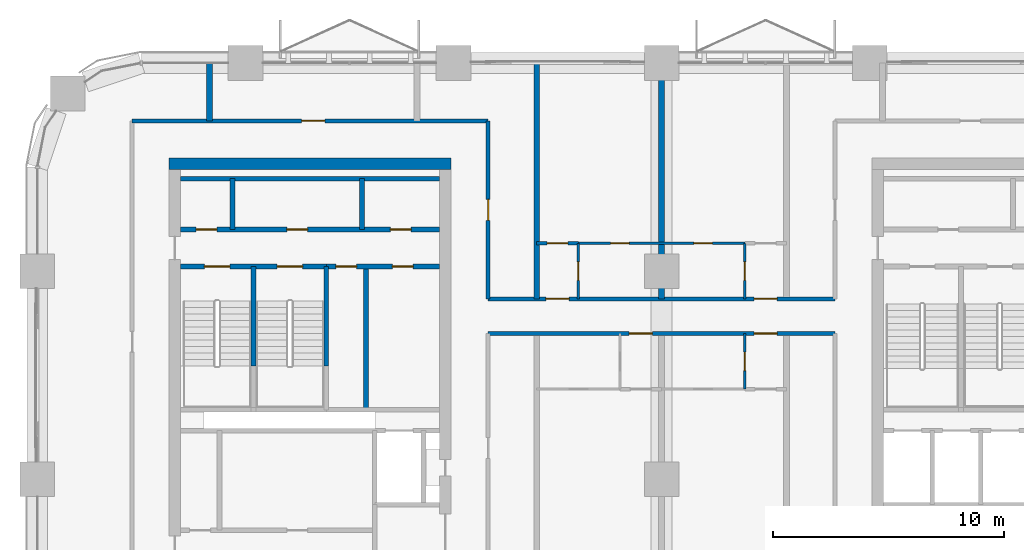
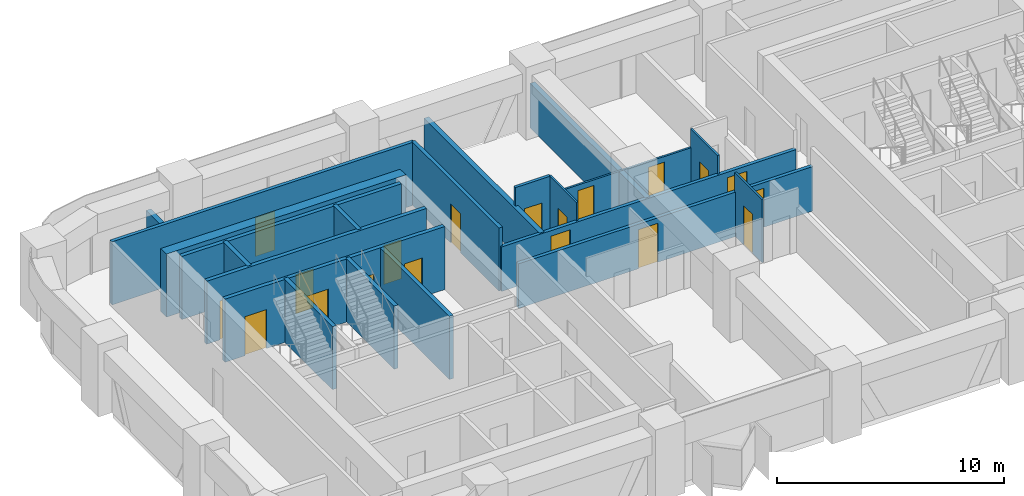
# One storey, part 9 of 14: 22 walls, 19 doors, 19 openings.
"""IFC4 building model written with IfcOpenShell, lengths in metres."""

from ifc_helpers import new_model, si_unit, direction, frame, frame_2d, origin, place, context, subcontext, project, spatial, rectangle, extrude, material, layer, layer_set, type_object, element, fill, save


model = new_model("IFC4")

# Units and contexts
model_context = context("Model", 3, precision=1e-05, world=origin(), true_north=direction((0.0, 1.0)))
body_context = subcontext(model_context, "Body", "Model", "MODEL_VIEW")
ifc_project = project(units=[si_unit("LENGTHUNIT", "METRE"), si_unit("AREAUNIT", "SQUARE_METRE"), si_unit("VOLUMEUNIT", "CUBIC_METRE"), si_unit("PLANEANGLEUNIT", "RADIAN"), si_unit("MASSUNIT", "GRAM", prefix="KILO")], contexts=[model_context])

# Site, building, storey
site_placement = place(None, origin())
site = spatial("IfcSite", under=ifc_project, at=site_placement, CompositionType="ELEMENT")
building_placement = place(site_placement, origin())
building = spatial("IfcBuilding", under=site, at=building_placement, Name="Tessera Arch", CompositionType="ELEMENT")
storey_placement = place(building_placement, frame((0.0, 0.0, 193.39990234375)))
storey = spatial("IfcBuildingStorey", under=building, at=storey_placement, Name="L46", CompositionType="ELEMENT", Elevation=193.39990234375)

# Walls
ifc_material_1 = material(Name="Gypsum board on steel stud", Category="steel")
ifc_layer_1 = layer(ifc_material_1, 0.125)
ifc_layer_set_1 = layer_set([ifc_layer_1], Name="Core partition 125 EI 60")
wall_type_1 = type_object("IfcWallType", Name="Core partition 125 EI 60", PredefinedType="PARTITIONING", material=ifc_layer_set_1)
for number, where, z_axis, x_axis, name in (
    (1, (8.43994140625, 46.800048828125, 0.0), (0.0, 0.0, 1.0), (0.0, 1.0, 0.0), "L46 C2 partition wall 2"),
    (2, (14.0400390625, 46.800048828125, 0.0), (0.0, 0.0, 1.0), (0.0, 1.0, 0.0), "L46 C2 partition wall 8"),
):
    element("IfcWall", number, at=place(storey_placement, frame(where, z_axis=z_axis, x_axis=x_axis)), inside=storey, type_object=wall_type_1, Name=name, PredefinedType="PARTITIONING", context=body_context, shape_type="SweptSolid", body=[
        extrude(rectangle(XDim=2.199951171875, YDim=0.199951171875, at=frame_2d((1.10009765625, 0.0))), origin(), (0.0, 0.0, 1.0), 3.400146484375),
    ])
wall_1_placement = place(storey_placement, frame((14.215087890625, 39.0, 0.0), z_axis=(0.0, 0.0, 1.0), x_axis=(0.0, 1.0, 0.0)))
element("IfcWall", 3, at=wall_1_placement, inside=storey, type_object=wall_type_1, Name="L46 C2 partition wall 9", PredefinedType="PARTITIONING", context=body_context, shape_type="SweptSolid", body=[
    extrude(rectangle(XDim=6.199951171875, YDim=0.199951171875, at=frame_2d((3.10009765625, 0.0))), origin(), (0.0, 0.0, 1.0), 3.400146484375),
])

# Wall, openings, doors
wall_2_placement = place(storey_placement, frame((12.5, 45.199951171875, 0.0), z_axis=(0.0, 0.0, 1.0), x_axis=(1.0, 0.0, 0.0)))
wall_2 = element("IfcWall", 4, at=wall_2_placement, inside=storey, type_object=wall_type_1, Name="L46 C2 partition wall 24", PredefinedType="PARTITIONING", context=body_context, shape_type="SweptSolid", body=[
    extrude(rectangle(XDim=4.89990234375, YDim=0.199951171875, at=frame_2d((2.449951171875, 0.0))), origin(), (0.0, 0.0, 1.0), 3.400146484375),
])
opening_1_placement = place(wall_2_placement, frame((0.407470703125, 0.0, 0.0)))
opening_1 = element("IfcOpeningElement", 5, at=opening_1_placement, cuts=wall_2, Name="Opening L46-C32", PredefinedType="OPENING", context=body_context, shape_type="SweptSolid", body=[
    extrude(rectangle(XDim=0.89990234375, YDim=2.10009765625, at=frame_2d((0.449951171875, 1.050048828125))), frame((0.0, 0.10986328125, 0.0), z_axis=(0.0, -1.0, 0.0), x_axis=(1.0, 0.0, 0.0)), (0.0, 0.0, 1.0), 0.219970703125),
])
opening_2_placement = place(wall_2_placement, frame((2.857421875, 0.0, 0.0)))
opening_2 = element("IfcOpeningElement", 6, at=opening_2_placement, cuts=wall_2, Name="Opening L46-C33", PredefinedType="OPENING", context=body_context, shape_type="SweptSolid", body=[
    extrude(rectangle(XDim=0.89990234375, YDim=2.10009765625, at=frame_2d((0.449951171875, 1.050048828125))), frame((0.0, 0.10986328125, 0.0), z_axis=(0.0, -1.0, 0.0), x_axis=(1.0, 0.0, 0.0)), (0.0, 0.0, 1.0), 0.219970703125),
])
ifc_material_2 = material(Name="Steel door leaf", Category="steel")
door_type_1 = type_object("IfcDoorType", Name="Store door FD30S 900 x 2100", OperationType="SINGLE_SWING_LEFT", PredefinedType="DOOR", material=ifc_material_2)
door_1_placement = place(opening_1_placement, origin())
door_1 = element("IfcDoor", 7, at=door_1_placement, inside=storey, type_object=door_type_1, Name="L46 C2 door 13 C32 type D09", OperationType="SINGLE_SWING_LEFT", OverallHeight=2.10009765625, OverallWidth=0.89990234375, PredefinedType="DOOR", context=body_context, shape_type="SweptSolid", body=[
    extrude(rectangle(XDim=0.89990234375, YDim=2.10009765625, at=frame_2d((0.449951171875, 1.050048828125))), frame((0.0, 0.02490234375, 0.0), z_axis=(0.0, -1.0, 0.0), x_axis=(1.0, 0.0, 0.0)), (0.0, 0.0, 1.0), 0.050048828125),
])
fill(opening_1, door_1)
door_2_placement = place(opening_2_placement, origin())
door_2 = element("IfcDoor", 8, at=door_2_placement, inside=storey, type_object=door_type_1, Name="L46 C2 door 14 C33 type D09", OperationType="SINGLE_SWING_RIGHT", OverallHeight=2.10009765625, OverallWidth=0.89990234375, PredefinedType="DOOR", context=body_context, shape_type="SweptSolid", body=[
    extrude(rectangle(XDim=0.89990234375, YDim=2.10009765625, at=frame_2d((0.449951171875, 1.050048828125))), frame((0.0, 0.02490234375, 0.0), z_axis=(0.0, -1.0, 0.0), x_axis=(1.0, 0.0, 0.0)), (0.0, 0.0, 1.0), 0.050048828125),
])
fill(opening_2, door_2)

wall_3_placement = place(storey_placement, frame((6.199951171875, 46.800048828125, 0.0), z_axis=(0.0, 0.0, 1.0), x_axis=(1.0, 0.0, 0.0)))
wall_3 = element("IfcWall", 9, at=wall_3_placement, inside=storey, type_object=wall_type_1, Name="L46 C2 partition wall 26", PredefinedType="PARTITIONING", context=body_context, shape_type="SweptSolid", body=[
    extrude(rectangle(XDim=11.199951171875, YDim=0.199951171875, at=frame_2d((5.60009765625, 0.0))), origin(), (0.0, 0.0, 1.0), 3.400146484375),
])
opening_3_placement = place(wall_3_placement, frame((0.669921875, 0.0, 0.0)))
opening_3 = element("IfcOpeningElement", 10, at=opening_3_placement, cuts=wall_3, Name="Opening L46-C29", PredefinedType="OPENING", context=body_context, shape_type="SweptSolid", body=[
    extrude(rectangle(XDim=0.89990234375, YDim=2.10009765625, at=frame_2d((0.449951171875, 1.050048828125))), frame((0.0, 0.10986328125, 0.0), z_axis=(0.0, -1.0, 0.0), x_axis=(1.0, 0.0, 0.0)), (0.0, 0.0, 1.0), 0.219970703125),
])
opening_4_placement = place(wall_3_placement, frame((4.590087890625, 0.0, 0.0)))
opening_4 = element("IfcOpeningElement", 11, at=opening_4_placement, cuts=wall_3, Name="Opening L46-C30", PredefinedType="OPENING", context=body_context, shape_type="SweptSolid", body=[
    extrude(rectangle(XDim=0.89990234375, YDim=2.10009765625, at=frame_2d((0.449951171875, 1.050048828125))), frame((0.0, 0.10986328125, 0.0), z_axis=(0.0, -1.0, 0.0), x_axis=(1.0, 0.0, 0.0)), (0.0, 0.0, 1.0), 0.219970703125),
])
opening_5_placement = place(wall_3_placement, frame((9.070068359375, 0.0, 0.0)))
opening_5 = element("IfcOpeningElement", 12, at=opening_5_placement, cuts=wall_3, Name="Opening L46-C31", PredefinedType="OPENING", context=body_context, shape_type="SweptSolid", body=[
    extrude(rectangle(XDim=0.89990234375, YDim=2.10009765625, at=frame_2d((0.449951171875, 1.050048828125))), frame((0.0, 0.10986328125, 0.0), z_axis=(0.0, -1.0, 0.0), x_axis=(1.0, 0.0, 0.0)), (0.0, 0.0, 1.0), 0.219970703125),
])
door_3_placement = place(opening_3_placement, origin())
door_3 = element("IfcDoor", 13, at=door_3_placement, inside=storey, type_object=door_type_1, Name="L46 C2 door 10 C29 type D09", OperationType="SINGLE_SWING_LEFT", OverallHeight=2.10009765625, OverallWidth=0.89990234375, PredefinedType="DOOR", context=body_context, shape_type="SweptSolid", body=[
    extrude(rectangle(XDim=0.89990234375, YDim=2.10009765625, at=frame_2d((0.449951171875, 1.050048828125))), frame((0.0, 0.02490234375, 0.0), z_axis=(0.0, -1.0, 0.0), x_axis=(1.0, 0.0, 0.0)), (0.0, 0.0, 1.0), 0.050048828125),
])
fill(opening_3, door_3)
door_4_placement = place(opening_4_placement, origin())
door_4 = element("IfcDoor", 14, at=door_4_placement, inside=storey, type_object=door_type_1, Name="L46 C2 door 11 C30 type D09", OperationType="SINGLE_SWING_LEFT", OverallHeight=2.10009765625, OverallWidth=0.89990234375, PredefinedType="DOOR", context=body_context, shape_type="SweptSolid", body=[
    extrude(rectangle(XDim=0.89990234375, YDim=2.10009765625, at=frame_2d((0.449951171875, 1.050048828125))), frame((0.0, 0.02490234375, 0.0), z_axis=(0.0, -1.0, 0.0), x_axis=(1.0, 0.0, 0.0)), (0.0, 0.0, 1.0), 0.050048828125),
])
fill(opening_4, door_4)
door_5_placement = place(opening_5_placement, origin())
door_5 = element("IfcDoor", 15, at=door_5_placement, inside=storey, type_object=door_type_1, Name="L46 C2 door 12 C31 type D09", OperationType="SINGLE_SWING_RIGHT", OverallHeight=2.10009765625, OverallWidth=0.89990234375, PredefinedType="DOOR", context=body_context, shape_type="SweptSolid", body=[
    extrude(rectangle(XDim=0.89990234375, YDim=2.10009765625, at=frame_2d((0.449951171875, 1.050048828125))), frame((0.0, 0.02490234375, 0.0), z_axis=(0.0, -1.0, 0.0), x_axis=(1.0, 0.0, 0.0)), (0.0, 0.0, 1.0), 0.050048828125),
])
fill(opening_5, door_5)

# Walls
wall_4_placement = place(storey_placement, frame((6.199951171875, 49.0, 0.0), z_axis=(0.0, 0.0, 1.0), x_axis=(1.0, 0.0, 0.0)))
element("IfcWall", 16, at=wall_4_placement, inside=storey, type_object=wall_type_1, Name="L46 C2 partition wall 27", PredefinedType="PARTITIONING", context=body_context, shape_type="SweptSolid", body=[
    extrude(rectangle(XDim=11.199951171875, YDim=0.199951171875, at=frame_2d((5.60009765625, 0.0))), origin(), (0.0, 0.0, 1.0), 3.400146484375),
])
ifc_material_3 = material(Name="Concrete C60/75", Category="concrete")
ifc_layer_2 = layer(ifc_material_3, 0.5)
ifc_layer_set_2 = layer_set([ifc_layer_2], Name="Core shell wall 500 C60-75")
wall_type_2 = type_object("IfcWallType", Name="Core shell wall 500 C60-75", PredefinedType="SHEAR", material=ifc_layer_set_2)
wall_5_placement = place(storey_placement, frame((5.699951171875, 49.64990234375, 0.0), z_axis=(0.0, 0.0, 1.0), x_axis=(1.0, 0.0, 0.0)))
element("IfcWall", 17, at=wall_5_placement, inside=storey, type_object=wall_type_2, Name="L46 C2 core wall N", PredefinedType="SHEAR", context=body_context, shape_type="SweptSolid", body=[
    extrude(rectangle(XDim=12.199951171875, YDim=0.5, at=frame_2d((6.10009765625, 0.0))), origin(), (0.0, 0.0, 1.0), 3.400146484375),
])

# Wall, openings, doors
ifc_material_4 = material(Name="Gypsum board on deep steel stud with mineral wool", Category="steel")
ifc_layer_3 = layer(ifc_material_4, 0.175048828125)
ifc_layer_set_3 = layer_set([ifc_layer_3], Name="Corridor wall 175 EI 60")
wall_type_3 = type_object("IfcWallType", Name="Corridor wall 175 EI 60", PredefinedType="PARTITIONING", material=ifc_layer_set_3)
wall_6_placement = place(storey_placement, frame((19.5, 42.300048828125, 0.0), z_axis=(0.0, 0.0, 1.0), x_axis=(1.0, 0.0, 0.0)))
wall_6 = element("IfcWall", 18, at=wall_6_placement, inside=storey, type_object=wall_type_3, Name="L46 partition 5", PredefinedType="PARTITIONING", context=body_context, shape_type="SweptSolid", body=[
    extrude(rectangle(XDim=15.0, YDim=0.175048828125, at=frame_2d((7.5, 0.0))), origin(), (0.0, 0.0, 1.0), 2.400146484375),
])
opening_6_placement = place(wall_6_placement, frame((11.5, 0.0, 0.0)))
opening_6 = element("IfcOpeningElement", 19, at=opening_6_placement, cuts=wall_6, Name="Opening L46-D003", PredefinedType="OPENING", context=body_context, shape_type="SweptSolid", body=[
    extrude(rectangle(XDim=1.0, YDim=2.10009765625, at=frame_2d((0.5, 1.050048828125))), frame((0.0, 0.097412109375, 0.0), z_axis=(0.0, -1.0, 0.0), x_axis=(1.0, 0.0, 0.0)), (0.0, 0.0, 1.0), 0.195068359375),
])
opening_7_placement = place(wall_6_placement, frame((6.10009765625, 0.0, 0.0)))
opening_7 = element("IfcOpeningElement", 20, at=opening_7_placement, cuts=wall_6, Name="Opening L46-D007", PredefinedType="OPENING", context=body_context, shape_type="SweptSolid", body=[
    extrude(rectangle(XDim=1.0, YDim=2.10009765625, at=frame_2d((0.5, 1.050048828125))), frame((0.0, 0.097412109375, 0.0), z_axis=(0.0, -1.0, 0.0), x_axis=(1.0, 0.0, 0.0)), (0.0, 0.0, 1.0), 0.195068359375),
])
ifc_material_5 = material(Name="Fire-rated door leaf")
door_type_2 = type_object("IfcDoorType", Name="Entrance door FD30S 1000 x 2100", OperationType="SINGLE_SWING_LEFT", PredefinedType="DOOR", material=ifc_material_5)
door_6_placement = place(opening_6_placement, origin())
door_6 = element("IfcDoor", 21, at=door_6_placement, inside=storey, type_object=door_type_2, Name="L46 door D003 type D03", OperationType="SINGLE_SWING_RIGHT", OverallHeight=2.10009765625, OverallWidth=1.0, PredefinedType="DOOR", context=body_context, shape_type="SweptSolid", body=[
    extrude(rectangle(XDim=1.0, YDim=2.10009765625, at=frame_2d((0.5, 1.050048828125))), frame((0.0, 0.02490234375, 0.0), z_axis=(0.0, -1.0, 0.0), x_axis=(1.0, 0.0, 0.0)), (0.0, 0.0, 1.0), 0.050048828125),
])
fill(opening_6, door_6)
door_7_placement = place(opening_7_placement, origin())
door_7 = element("IfcDoor", 22, at=door_7_placement, inside=storey, type_object=door_type_2, Name="L46 door D007 type D03", OperationType="SINGLE_SWING_LEFT", OverallHeight=2.10009765625, OverallWidth=1.0, PredefinedType="DOOR", context=body_context, shape_type="SweptSolid", body=[
    extrude(rectangle(XDim=1.0, YDim=2.10009765625, at=frame_2d((0.5, 1.050048828125))), frame((0.0, 0.02490234375, 0.0), z_axis=(0.0, -1.0, 0.0), x_axis=(1.0, 0.0, 0.0)), (0.0, 0.0, 1.0), 0.050048828125),
])
fill(opening_7, door_7)

wall_7_placement = place(storey_placement, frame((19.5, 43.800048828125, 0.0), z_axis=(0.0, 0.0, 1.0), x_axis=(1.0, 0.0, 0.0)))
wall_7 = element("IfcWall", 23, at=wall_7_placement, inside=storey, type_object=wall_type_3, Name="L46 partition 6", PredefinedType="PARTITIONING", context=body_context, shape_type="SweptSolid", body=[
    extrude(rectangle(XDim=15.0, YDim=0.175048828125, at=frame_2d((7.5, 0.0))), origin(), (0.0, 0.0, 1.0), 2.400146484375),
])
opening_8_placement = place(wall_7_placement, frame((2.5, 0.0, 0.0)))
opening_8 = element("IfcOpeningElement", 24, at=opening_8_placement, cuts=wall_7, Name="Opening L46-D013", PredefinedType="OPENING", context=body_context, shape_type="SweptSolid", body=[
    extrude(rectangle(XDim=1.0, YDim=2.10009765625, at=frame_2d((0.5, 1.050048828125))), frame((0.0, 0.097412109375, 0.0), z_axis=(0.0, -1.0, 0.0), x_axis=(1.0, 0.0, 0.0)), (0.0, 0.0, 1.0), 0.195068359375),
])
opening_9_placement = place(wall_7_placement, frame((11.5, 0.0, 0.0)))
opening_9 = element("IfcOpeningElement", 25, at=opening_9_placement, cuts=wall_7, Name="Opening L46-D017", PredefinedType="OPENING", context=body_context, shape_type="SweptSolid", body=[
    extrude(rectangle(XDim=1.0, YDim=2.10009765625, at=frame_2d((0.5, 1.050048828125))), frame((0.0, 0.097412109375, 0.0), z_axis=(0.0, -1.0, 0.0), x_axis=(1.0, 0.0, 0.0)), (0.0, 0.0, 1.0), 0.195068359375),
])
door_8_placement = place(opening_8_placement, origin())
door_8 = element("IfcDoor", 26, at=door_8_placement, inside=storey, type_object=door_type_2, Name="L46 door D013 type D03", OperationType="SINGLE_SWING_LEFT", OverallHeight=2.10009765625, OverallWidth=1.0, PredefinedType="DOOR", context=body_context, shape_type="SweptSolid", body=[
    extrude(rectangle(XDim=1.0, YDim=2.10009765625, at=frame_2d((0.5, 1.050048828125))), frame((0.0, 0.02490234375, 0.0), z_axis=(0.0, -1.0, 0.0), x_axis=(1.0, 0.0, 0.0)), (0.0, 0.0, 1.0), 0.050048828125),
])
fill(opening_8, door_8)
door_9_placement = place(opening_9_placement, origin())
door_9 = element("IfcDoor", 27, at=door_9_placement, inside=storey, type_object=door_type_2, Name="L46 door D017 type D03", OperationType="SINGLE_SWING_RIGHT", OverallHeight=2.10009765625, OverallWidth=1.0, PredefinedType="DOOR", context=body_context, shape_type="SweptSolid", body=[
    extrude(rectangle(XDim=1.0, YDim=2.10009765625, at=frame_2d((0.5, 1.050048828125))), frame((0.0, 0.02490234375, 0.0), z_axis=(0.0, -1.0, 0.0), x_axis=(1.0, 0.0, 0.0)), (0.0, 0.0, 1.0), 0.050048828125),
])
fill(opening_9, door_9)

# Wall, opening, door
wall_8_placement = place(storey_placement, frame((4.10009765625, 51.5, 0.0), z_axis=(0.0, 0.0, 1.0), x_axis=(1.0, 0.0, 0.0)))
wall_8 = element("IfcWall", 28, at=wall_8_placement, inside=storey, type_object=wall_type_3, Name="L46 partition 7", PredefinedType="PARTITIONING", context=body_context, shape_type="SweptSolid", body=[
    extrude(rectangle(XDim=15.39990234375, YDim=0.175048828125, at=frame_2d((7.699951171875, 0.0))), origin(), (0.0, 0.0, 1.0), 3.400146484375),
])
opening_10_placement = place(wall_8_placement, frame((7.33349609375, 0.0, 0.0)))
opening_10 = element("IfcOpeningElement", 29, at=opening_10_placement, cuts=wall_8, Name="Opening L46-D024", PredefinedType="OPENING", context=body_context, shape_type="SweptSolid", body=[
    extrude(rectangle(XDim=1.0, YDim=2.10009765625, at=frame_2d((0.5, 1.050048828125))), frame((0.0, 0.097412109375, 0.0), z_axis=(0.0, -1.0, 0.0), x_axis=(1.0, 0.0, 0.0)), (0.0, 0.0, 1.0), 0.195068359375),
])
door_10_placement = place(opening_10_placement, origin())
door_10 = element("IfcDoor", 30, at=door_10_placement, inside=storey, type_object=door_type_2, Name="L46 door D024 type D03", OperationType="SINGLE_SWING_RIGHT", OverallHeight=2.10009765625, OverallWidth=1.0, PredefinedType="DOOR", context=body_context, shape_type="SweptSolid", body=[
    extrude(rectangle(XDim=1.0, YDim=2.10009765625, at=frame_2d((0.5, 1.050048828125))), frame((0.0, 0.02490234375, 0.0), z_axis=(0.0, -1.0, 0.0), x_axis=(1.0, 0.0, 0.0)), (0.0, 0.0, 1.0), 0.050048828125),
])
fill(opening_10, door_10)

wall_9_placement = place(storey_placement, frame((19.5, 43.800048828125, 0.0), z_axis=(0.0, 0.0, 1.0), x_axis=(0.0, 1.0, 0.0)))
wall_9 = element("IfcWall", 31, at=wall_9_placement, inside=storey, type_object=wall_type_3, Name="L46 partition 11", PredefinedType="PARTITIONING", context=body_context, shape_type="SweptSolid", body=[
    extrude(rectangle(XDim=7.699951171875, YDim=0.175048828125, at=frame_2d((3.85009765625, 0.0))), origin(), (0.0, 0.0, 1.0), 3.400146484375),
])
opening_11_placement = place(wall_9_placement, frame((3.39990234375, 0.0, 0.0)))
opening_11 = element("IfcOpeningElement", 32, at=opening_11_placement, cuts=wall_9, Name="Opening L46-D023", PredefinedType="OPENING", context=body_context, shape_type="SweptSolid", body=[
    extrude(rectangle(XDim=0.89990234375, YDim=2.10009765625, at=frame_2d((0.449951171875, 1.050048828125))), frame((0.0, 0.097412109375, 0.0), z_axis=(0.0, -1.0, 0.0), x_axis=(1.0, 0.0, 0.0)), (0.0, 0.0, 1.0), 0.195068359375),
])
ifc_material_6 = material(Name="Timber door leaf", Category="wood")
door_type_3 = type_object("IfcDoorType", Name="Room door 900 x 2100", OperationType="SINGLE_SWING_LEFT", PredefinedType="DOOR", material=ifc_material_6)
door_11_placement = place(opening_11_placement, origin())
door_11 = element("IfcDoor", 33, at=door_11_placement, inside=storey, type_object=door_type_3, Name="L46 door D023 type D01", OperationType="SINGLE_SWING_RIGHT", OverallHeight=2.10009765625, OverallWidth=0.89990234375, PredefinedType="DOOR", context=body_context, shape_type="SweptSolid", body=[
    extrude(rectangle(XDim=0.89990234375, YDim=2.10009765625, at=frame_2d((0.449951171875, 1.050048828125))), frame((0.0, 0.02490234375, 0.0), z_axis=(0.0, -1.0, 0.0), x_axis=(1.0, 0.0, 0.0)), (0.0, 0.0, 1.0), 0.050048828125),
])
fill(opening_11, door_11)

ifc_material_7 = material(Name="Gypsum board on steel stud", Category="steel")
ifc_layer_4 = layer(ifc_material_7, 0.14990234375)
ifc_layer_set_4 = layer_set([ifc_layer_4], Name="Partition 150")
wall_type_4 = type_object("IfcWallType", Name="Partition 150", PredefinedType="PARTITIONING", material=ifc_layer_set_4)
wall_10_placement = place(storey_placement, frame((21.60009765625, 46.199951171875, 0.0), z_axis=(0.0, 0.0, 1.0), x_axis=(1.0, 0.0, 0.0)))
wall_10 = element("IfcWall", 34, at=wall_10_placement, inside=storey, type_object=wall_type_4, Name="L46 partition 17", PredefinedType="PARTITIONING", context=body_context, shape_type="SweptSolid", body=[
    extrude(rectangle(XDim=1.7998046875, YDim=0.14990234375, at=frame_2d((0.89990234375, 0.0))), origin(), (0.0, 0.0, 1.0), 3.400146484375),
])
opening_12_placement = place(wall_10_placement, frame((0.449951171875, 0.0, 0.0)))
opening_12 = element("IfcOpeningElement", 35, at=opening_12_placement, cuts=wall_10, Name="Opening L46-D014", PredefinedType="OPENING", context=body_context, shape_type="SweptSolid", body=[
    extrude(rectangle(XDim=0.89990234375, YDim=2.10009765625, at=frame_2d((0.449951171875, 1.050048828125))), frame((0.0, 0.0849609375, 0.0), z_axis=(0.0, -1.0, 0.0), x_axis=(1.0, 0.0, 0.0)), (0.0, 0.0, 1.0), 0.169921875),
])
door_12_placement = place(opening_12_placement, origin())
door_12 = element("IfcDoor", 36, at=door_12_placement, inside=storey, type_object=door_type_3, Name="L46 door D014 type D01", OperationType="SINGLE_SWING_RIGHT", OverallHeight=2.10009765625, OverallWidth=0.89990234375, PredefinedType="DOOR", context=body_context, shape_type="SweptSolid", body=[
    extrude(rectangle(XDim=0.89990234375, YDim=2.10009765625, at=frame_2d((0.449951171875, 1.050048828125))), frame((0.0, 0.02490234375, 0.0), z_axis=(0.0, -1.0, 0.0), x_axis=(1.0, 0.0, 0.0)), (0.0, 0.0, 1.0), 0.050048828125),
])
fill(opening_12, door_12)

# Walls
ifc_material_8 = material(Name="Double gypsum board on twin steel stud with acoustic mineral wool", Category="steel")
ifc_layer_5 = layer(ifc_material_8, 0.25)
ifc_layer_set_5 = layer_set([ifc_layer_5], Name="Party wall 250 EI 60")
wall_type_5 = type_object("IfcWallType", Name="Party wall 250 EI 60", PredefinedType="PARTITIONING", material=ifc_layer_set_5)
wall_11_placement = place(storey_placement, frame((7.450927734375, 51.5, 0.0), z_axis=(0.0, 0.0, 1.0), x_axis=(0.0, 1.0, 0.0)))
element("IfcWall", 37, at=wall_11_placement, inside=storey, type_object=wall_type_5, Name="L46 partition 22", PredefinedType="PARTITIONING", context=body_context, shape_type="SweptSolid", body=[
    extrude(rectangle(XDim=2.5, YDim=0.25, at=frame_2d((1.25, 0.0))), origin(), (0.0, 0.0, 1.0), 2.400146484375),
])
for number, where, z_axis, x_axis, name in (
    (38, (21.60009765625, 43.800048828125, 0.0), (0.0, 0.0, 1.0), (0.0, 1.0, 0.0), "L46 partition 25"),
    (39, (27.0, 43.800048828125, 0.0), (0.0, 0.0, 1.0), (0.0, 1.0, 0.0), "L46 partition 27"),
):
    element("IfcWall", number, at=place(storey_placement, frame(where, z_axis=z_axis, x_axis=x_axis)), inside=storey, type_object=wall_type_5, Name=name, PredefinedType="PARTITIONING", context=body_context, shape_type="SweptSolid", body=[
        extrude(rectangle(XDim=10.199951171875, YDim=0.25, at=frame_2d((5.10009765625, 0.0))), origin(), (0.0, 0.0, 1.0), 2.400146484375),
    ])
ifc_material_9 = material(Name="Concrete C40/50", Category="concrete")
ifc_layer_6 = layer(ifc_material_9, 0.199951171875)
ifc_layer_set_6 = layer_set([ifc_layer_6], Name="Stair well wall 200 REI 180")
wall_type_6 = type_object("IfcWallType", Name="Stair well wall 200 REI 180", PredefinedType="SOLIDWALL", material=ifc_layer_set_6)
for number, where, z_axis, x_axis, name in (
    (40, (9.35009765625, 40.89990234375, 0.0), (0.0, 0.0, 1.0), (0.0, 1.0, 0.0), "L46 C2 shaft wall 4"),
    (41, (12.5, 40.89990234375, 0.0), (0.0, 0.0, 1.0), (0.0, 1.0, 0.0), "L46 C2 shaft wall 7"),
):
    element("IfcWall", number, at=place(storey_placement, frame(where, z_axis=z_axis, x_axis=x_axis)), inside=storey, type_object=wall_type_6, Name=name, PredefinedType="SOLIDWALL", context=body_context, shape_type="SweptSolid", body=[
        extrude(rectangle(XDim=4.300048828125, YDim=0.199951171875, at=frame_2d((2.14990234375, 0.0))), origin(), (0.0, 0.0, 1.0), 3.400146484375),
    ])

# Wall, openings, doors
wall_12_placement = place(storey_placement, frame((6.199951171875, 45.199951171875, 0.0), z_axis=(0.0, 0.0, 1.0), x_axis=(1.0, 0.0, 0.0)))
wall_12 = element("IfcWall", 42, at=wall_12_placement, inside=storey, type_object=wall_type_6, Name="L46 C2 shaft wall 25", PredefinedType="SOLIDWALL", context=body_context, shape_type="SweptSolid", body=[
    extrude(rectangle(XDim=6.300048828125, YDim=0.199951171875, at=frame_2d((3.14990234375, 0.0))), origin(), (0.0, 0.0, 1.0), 3.400146484375),
])
opening_13_placement = place(wall_12_placement, frame((1.02490234375, 0.0, 0.0)))
opening_13 = element("IfcOpeningElement", 43, at=opening_13_placement, cuts=wall_12, Name="Opening L46-C24", PredefinedType="OPENING", context=body_context, shape_type="SweptSolid", body=[
    extrude(rectangle(XDim=1.10009765625, YDim=2.10009765625, at=frame_2d((0.550048828125, 1.050048828125))), frame((0.0, 0.10986328125, 0.0), z_axis=(0.0, -1.0, 0.0), x_axis=(1.0, 0.0, 0.0)), (0.0, 0.0, 1.0), 0.219970703125),
])
opening_14_placement = place(wall_12_placement, frame((4.175048828125, 0.0, 0.0)))
opening_14 = element("IfcOpeningElement", 44, at=opening_14_placement, cuts=wall_12, Name="Opening L46-C25", PredefinedType="OPENING", context=body_context, shape_type="SweptSolid", body=[
    extrude(rectangle(XDim=1.10009765625, YDim=2.10009765625, at=frame_2d((0.550048828125, 1.050048828125))), frame((0.0, 0.10986328125, 0.0), z_axis=(0.0, -1.0, 0.0), x_axis=(1.0, 0.0, 0.0)), (0.0, 0.0, 1.0), 0.219970703125),
])
ifc_material_10 = material(Name="Steel door leaf", Category="steel")
door_type_4 = type_object("IfcDoorType", Name="Stair door FD60 1100 x 2100", OperationType="SINGLE_SWING_LEFT", PredefinedType="DOOR", material=ifc_material_10)
door_13_placement = place(opening_13_placement, origin())
door_13 = element("IfcDoor", 45, at=door_13_placement, inside=storey, type_object=door_type_4, Name="L46 C2 door 5 C24 type D05", OperationType="SINGLE_SWING_LEFT", OverallHeight=2.10009765625, OverallWidth=1.10009765625, PredefinedType="DOOR", context=body_context, shape_type="SweptSolid", body=[
    extrude(rectangle(XDim=1.10009765625, YDim=2.10009765625, at=frame_2d((0.550048828125, 1.050048828125))), frame((0.0, 0.02490234375, 0.0), z_axis=(0.0, -1.0, 0.0), x_axis=(1.0, 0.0, 0.0)), (0.0, 0.0, 1.0), 0.050048828125),
])
fill(opening_13, door_13)
door_14_placement = place(opening_14_placement, origin())
door_14 = element("IfcDoor", 46, at=door_14_placement, inside=storey, type_object=door_type_4, Name="L46 C2 door 6 C25 type D05", OperationType="SINGLE_SWING_RIGHT", OverallHeight=2.10009765625, OverallWidth=1.10009765625, PredefinedType="DOOR", context=body_context, shape_type="SweptSolid", body=[
    extrude(rectangle(XDim=1.10009765625, YDim=2.10009765625, at=frame_2d((0.550048828125, 1.050048828125))), frame((0.0, 0.02490234375, 0.0), z_axis=(0.0, -1.0, 0.0), x_axis=(1.0, 0.0, 0.0)), (0.0, 0.0, 1.0), 0.050048828125),
])
fill(opening_14, door_14)

ifc_material_11 = material(Name="Moisture-resistant board on pre-plumbed steel stud", Category="steel")
ifc_layer_7 = layer(ifc_material_11, 0.10009765625)
ifc_layer_set_7 = layer_set([ifc_layer_7], Name="Wet wall 100")
wall_type_7 = type_object("IfcWallType", Name="Wet wall 100", PredefinedType="PARTITIONING", material=ifc_layer_set_7)
wall_13_placement = place(storey_placement, frame((23.39990234375, 46.199951171875, 0.0), z_axis=(0.0, 0.0, 1.0), x_axis=(1.0, 0.0, 0.0)))
wall_13 = element("IfcWall", 47, at=wall_13_placement, inside=storey, type_object=wall_type_7, Name="L46 partition 34", PredefinedType="PARTITIONING", context=body_context, shape_type="SweptSolid", body=[
    extrude(rectangle(XDim=7.2001953125, YDim=0.10009765625, at=frame_2d((3.60009765625, 0.0))), origin(), (0.0, 0.0, 1.0), 2.400146484375),
])
opening_15_placement = place(wall_13_placement, frame((1.39990234375, 0.0, 0.0)))
opening_15 = element("IfcOpeningElement", 48, at=opening_15_placement, cuts=wall_13, Name="Opening L46-D016", PredefinedType="OPENING", context=body_context, shape_type="SweptSolid", body=[
    extrude(rectangle(XDim=0.800048828125, YDim=2.10009765625, at=frame_2d((0.39990234375, 1.050048828125))), frame((0.0, 0.06005859375, 0.0), z_axis=(0.0, -1.0, 0.0), x_axis=(1.0, 0.0, 0.0)), (0.0, 0.0, 1.0), 0.1201171875),
])
opening_16_placement = place(wall_13_placement, frame((5.0, 0.0, 0.0)))
opening_16 = element("IfcOpeningElement", 49, at=opening_16_placement, cuts=wall_13, Name="Opening L46-D020", PredefinedType="OPENING", context=body_context, shape_type="SweptSolid", body=[
    extrude(rectangle(XDim=0.800048828125, YDim=2.10009765625, at=frame_2d((0.39990234375, 1.050048828125))), frame((0.0, 0.06005859375, 0.0), z_axis=(0.0, -1.0, 0.0), x_axis=(1.0, 0.0, 0.0)), (0.0, 0.0, 1.0), 0.1201171875),
])
ifc_material_12 = material(Name="Timber door leaf", Category="wood")
door_type_5 = type_object("IfcDoorType", Name="En-suite door 800 x 2100", OperationType="SINGLE_SWING_LEFT", PredefinedType="DOOR", material=ifc_material_12)
door_15_placement = place(opening_15_placement, origin())
door_15 = element("IfcDoor", 50, at=door_15_placement, inside=storey, type_object=door_type_5, Name="L46 door D016 type D02", OperationType="SINGLE_SWING_LEFT", OverallHeight=2.10009765625, OverallWidth=0.800048828125, PredefinedType="DOOR", context=body_context, shape_type="SweptSolid", body=[
    extrude(rectangle(XDim=0.800048828125, YDim=2.10009765625, at=frame_2d((0.39990234375, 1.050048828125))), frame((0.0, 0.02490234375, 0.0), z_axis=(0.0, -1.0, 0.0), x_axis=(1.0, 0.0, 0.0)), (0.0, 0.0, 1.0), 0.050048828125),
])
fill(opening_15, door_15)
door_16_placement = place(opening_16_placement, origin())
door_16 = element("IfcDoor", 51, at=door_16_placement, inside=storey, type_object=door_type_5, Name="L46 door D020 type D02", OperationType="SINGLE_SWING_RIGHT", OverallHeight=2.10009765625, OverallWidth=0.800048828125, PredefinedType="DOOR", context=body_context, shape_type="SweptSolid", body=[
    extrude(rectangle(XDim=0.800048828125, YDim=2.10009765625, at=frame_2d((0.39990234375, 1.050048828125))), frame((0.0, 0.02490234375, 0.0), z_axis=(0.0, -1.0, 0.0), x_axis=(1.0, 0.0, 0.0)), (0.0, 0.0, 1.0), 0.050048828125),
])
fill(opening_16, door_16)

# Wall, opening, door
wall_14_placement = place(storey_placement, frame((23.39990234375, 43.800048828125, 0.0), z_axis=(0.0, 0.0, 1.0), x_axis=(0.0, 1.0, 0.0)))
wall_14 = element("IfcWall", 52, at=wall_14_placement, inside=storey, type_object=wall_type_7, Name="L46 partition 35", PredefinedType="PARTITIONING", context=body_context, shape_type="SweptSolid", body=[
    extrude(rectangle(XDim=2.39990234375, YDim=0.10009765625, at=frame_2d((1.199951171875, 0.0))), origin(), (0.0, 0.0, 1.0), 3.400146484375),
])
opening_17_placement = place(wall_14_placement, frame((0.800048828125, 0.0, 0.0)))
opening_17 = element("IfcOpeningElement", 53, at=opening_17_placement, cuts=wall_14, Name="Opening L46-D015", PredefinedType="OPENING", context=body_context, shape_type="SweptSolid", body=[
    extrude(rectangle(XDim=0.800048828125, YDim=2.10009765625, at=frame_2d((0.39990234375, 1.050048828125))), frame((0.0, 0.06005859375, 0.0), z_axis=(0.0, -1.0, 0.0), x_axis=(1.0, 0.0, 0.0)), (0.0, 0.0, 1.0), 0.1201171875),
])
door_17_placement = place(opening_17_placement, origin())
door_17 = element("IfcDoor", 54, at=door_17_placement, inside=storey, type_object=door_type_5, Name="L46 door D015 type D02", OperationType="SINGLE_SWING_RIGHT", OverallHeight=2.10009765625, OverallWidth=0.800048828125, PredefinedType="DOOR", context=body_context, shape_type="SweptSolid", body=[
    extrude(rectangle(XDim=0.800048828125, YDim=2.10009765625, at=frame_2d((0.39990234375, 1.050048828125))), frame((0.0, 0.02490234375, 0.0), z_axis=(0.0, -1.0, 0.0), x_axis=(1.0, 0.0, 0.0)), (0.0, 0.0, 1.0), 0.050048828125),
])
fill(opening_17, door_17)

wall_15_placement = place(storey_placement, frame((30.60009765625, 39.89990234375, 0.0), z_axis=(0.0, 0.0, 1.0), x_axis=(0.0, 1.0, 0.0)))
wall_15 = element("IfcWall", 55, at=wall_15_placement, inside=storey, type_object=wall_type_7, Name="L46 partition 37", PredefinedType="PARTITIONING", context=body_context, shape_type="SweptSolid", body=[
    extrude(rectangle(XDim=2.400146484375, YDim=0.10009765625, at=frame_2d((1.2001953125, 0.0))), origin(), (0.0, 0.0, 1.0), 3.400146484375),
])
opening_18_placement = place(wall_15_placement, frame((0.800048828125, 0.0, 0.0)))
opening_18 = element("IfcOpeningElement", 56, at=opening_18_placement, cuts=wall_15, Name="Opening L46-D005", PredefinedType="OPENING", context=body_context, shape_type="SweptSolid", body=[
    extrude(rectangle(XDim=0.800048828125, YDim=2.10009765625, at=frame_2d((0.39990234375, 1.050048828125))), frame((0.0, 0.06005859375, 0.0), z_axis=(0.0, -1.0, 0.0), x_axis=(1.0, 0.0, 0.0)), (0.0, 0.0, 1.0), 0.1201171875),
])
door_18_placement = place(opening_18_placement, origin())
door_18 = element("IfcDoor", 57, at=door_18_placement, inside=storey, type_object=door_type_5, Name="L46 door D005 type D02", OperationType="SINGLE_SWING_LEFT", OverallHeight=2.10009765625, OverallWidth=0.800048828125, PredefinedType="DOOR", context=body_context, shape_type="SweptSolid", body=[
    extrude(rectangle(XDim=0.800048828125, YDim=2.10009765625, at=frame_2d((0.39990234375, 1.050048828125))), frame((0.0, 0.02490234375, 0.0), z_axis=(0.0, -1.0, 0.0), x_axis=(1.0, 0.0, 0.0)), (0.0, 0.0, 1.0), 0.050048828125),
])
fill(opening_18, door_18)

wall_16_placement = place(storey_placement, frame((30.60009765625, 43.800048828125, 0.0), z_axis=(0.0, 0.0, 1.0), x_axis=(0.0, 1.0, 0.0)))
wall_16 = element("IfcWall", 58, at=wall_16_placement, inside=storey, type_object=wall_type_7, Name="L46 partition 38", PredefinedType="PARTITIONING", context=body_context, shape_type="SweptSolid", body=[
    extrude(rectangle(XDim=2.39990234375, YDim=0.10009765625, at=frame_2d((1.199951171875, 0.0))), origin(), (0.0, 0.0, 1.0), 3.400146484375),
])
opening_19_placement = place(wall_16_placement, frame((0.800048828125, 0.0, 0.0)))
opening_19 = element("IfcOpeningElement", 59, at=opening_19_placement, cuts=wall_16, Name="Opening L46-D019", PredefinedType="OPENING", context=body_context, shape_type="SweptSolid", body=[
    extrude(rectangle(XDim=0.800048828125, YDim=2.10009765625, at=frame_2d((0.39990234375, 1.050048828125))), frame((0.0, 0.06005859375, 0.0), z_axis=(0.0, -1.0, 0.0), x_axis=(1.0, 0.0, 0.0)), (0.0, 0.0, 1.0), 0.1201171875),
])
door_19_placement = place(opening_19_placement, origin())
door_19 = element("IfcDoor", 60, at=door_19_placement, inside=storey, type_object=door_type_5, Name="L46 door D019 type D02", OperationType="SINGLE_SWING_RIGHT", OverallHeight=2.10009765625, OverallWidth=0.800048828125, PredefinedType="DOOR", context=body_context, shape_type="SweptSolid", body=[
    extrude(rectangle(XDim=0.800048828125, YDim=2.10009765625, at=frame_2d((0.39990234375, 1.050048828125))), frame((0.0, 0.02490234375, 0.0), z_axis=(0.0, -1.0, 0.0), x_axis=(1.0, 0.0, 0.0)), (0.0, 0.0, 1.0), 0.050048828125),
])
fill(opening_19, door_19)

save(model, "model.ifc")
